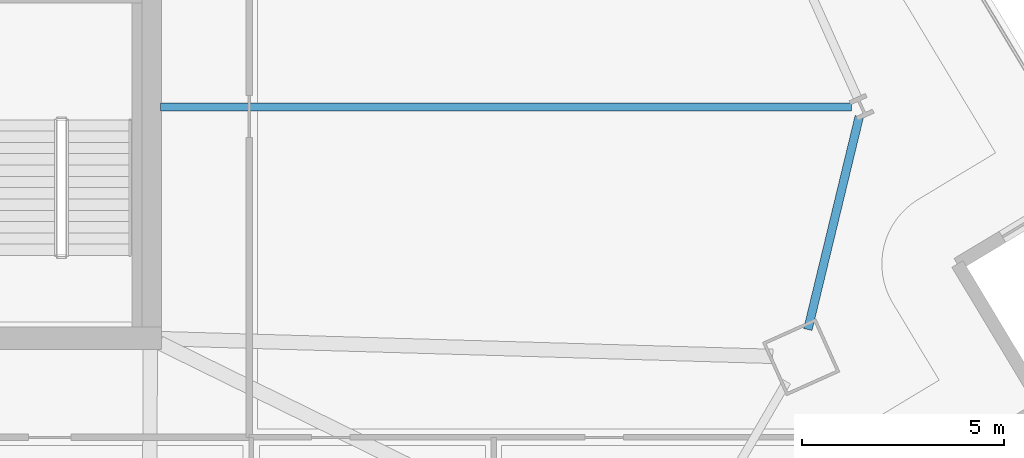
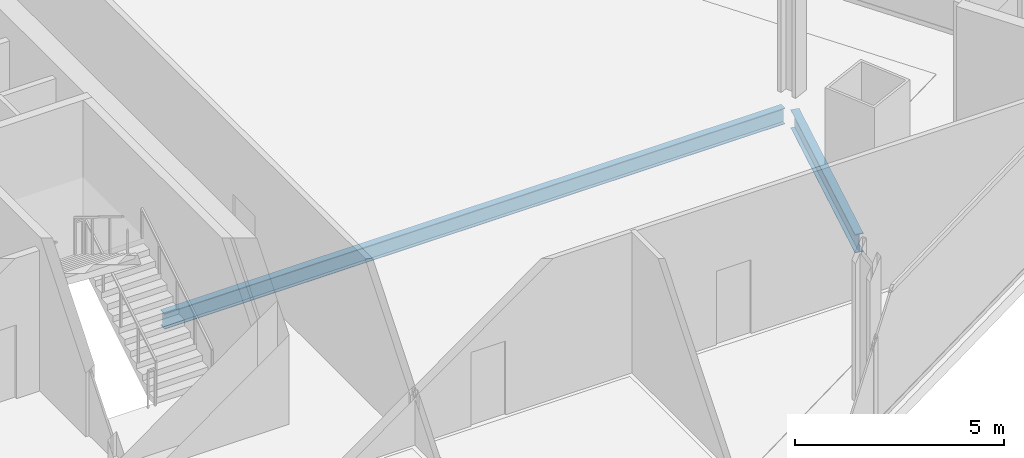
# One storey, part 10 of 30: 2 beams.
"""IFC4 building model written with IfcOpenShell, lengths in metres."""

from ifc_helpers import new_model, si_unit, direction, frame, origin, origin_2d, place, context, subcontext, project, spatial, i_section, extrude, material, material_profile, profile_set, type_object, element, save


model = new_model("IFC4")

# Units and contexts
model_context = context("Model", 3, precision=1e-05, world=origin(), true_north=direction((0.0, 1.0)))
body_context = subcontext(model_context, "Body", "Model", "MODEL_VIEW")
ifc_project = project(units=[si_unit("LENGTHUNIT", "METRE"), si_unit("AREAUNIT", "SQUARE_METRE"), si_unit("VOLUMEUNIT", "CUBIC_METRE"), si_unit("PLANEANGLEUNIT", "RADIAN"), si_unit("MASSUNIT", "GRAM", prefix="KILO")], contexts=[model_context])

# Site, building, storey
site_placement = place(None, origin())
site = spatial("IfcSite", under=ifc_project, at=site_placement, CompositionType="ELEMENT")
building_placement = place(site_placement, origin())
building = spatial("IfcBuilding", under=site, at=building_placement, Name="Haldenkirk Collegiate Tower", CompositionType="ELEMENT")
storey_placement = place(building_placement, frame((0.0, 0.0, 131.699951171875)))
storey = spatial("IfcBuildingStorey", under=building, at=storey_placement, Name="L32", CompositionType="ELEMENT", Elevation=131.699951171875)

# Beams
ifc_material = material(Name="Steel ASTM A992 Grade 50", Category="steel")
ifc_material_profile_1 = material_profile(ifc_material, i_section(OverallWidth=0.19189453125, OverallDepth=0.462890625, WebThickness=0.010498046875, FlangeThickness=0.017578125, at=origin_2d()), Name="W18X60")
ifc_profile_set_1 = profile_set([ifc_material_profile_1], Name="Steel ASTM A992 Grade 50")
beam_type_1 = type_object("IfcBeamType", Name="BM-JOIST-W18X60", PredefinedType="JOIST", material=ifc_profile_set_1)
beam_1_placement = place(storey_placement, frame((62.363037109375, 23.727294921875, -0.58154296875), z_axis=(-1.0, 0.0, 0.0), x_axis=(0.0, -1.0, 0.0)))
element("IfcBeam", 1, at=beam_1_placement, inside=storey, type_object=beam_type_1, Name="L32 composite floor joist 08", PredefinedType="JOIST", context=body_context, shape_type="SweptSolid", body=[
    extrude(i_section(OverallWidth=0.19189453125, OverallDepth=0.462890625, WebThickness=0.010498046875, FlangeThickness=0.017578125, at=origin_2d()), origin(), (0.0, 0.0, 1.0), 17.108154296875),
])
ifc_material_profile_2 = material_profile(ifc_material, i_section(OverallWidth=0.2119140625, OverallDepth=0.5439453125, WebThickness=0.01318359375, FlangeThickness=0.021240234375, at=origin_2d()), Name="W21X83")
ifc_profile_set_2 = profile_set([ifc_material_profile_2], Name="Steel ASTM A992 Grade 50")
beam_type_2 = type_object("IfcBeamType", Name="BM-SPANDREL-W21X83", PredefinedType="SPANDREL", material=ifc_profile_set_2)
beam_2_placement = place(storey_placement, frame((61.277587890625, 18.21826171875, -0.6220703125), z_axis=(0.234815122269, 0.972040049768, 0.0), x_axis=(-0.972040049768, 0.234815122269, 0.0)))
element("IfcBeam", 2, at=beam_2_placement, inside=storey, type_object=beam_type_2, Name="L32 perimeter spandrel beam 05", PredefinedType="SPANDREL", context=body_context, shape_type="SweptSolid", body=[
    extrude(i_section(OverallWidth=0.2119140625, OverallDepth=0.5439453125, WebThickness=0.01318359375, FlangeThickness=0.021240234375, at=origin_2d()), origin(), (0.0, 0.0, 1.0), 5.422119140625),
])

save(model, "model.ifc")
